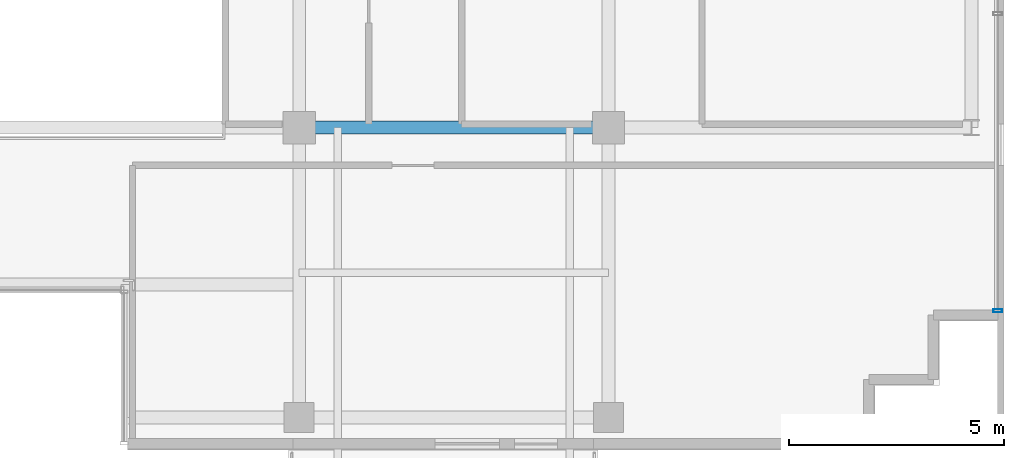
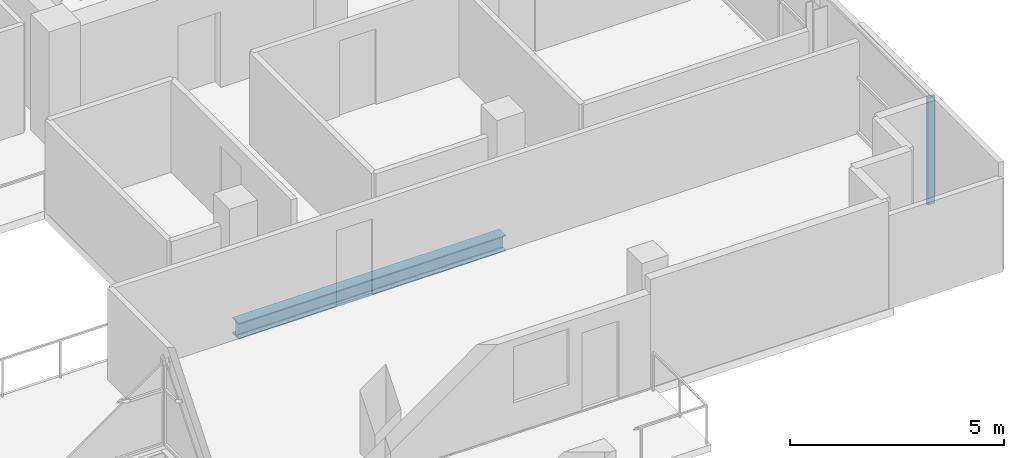
# One storey, part 7 of 21: 1 beam, 1 member, 1 element without a shape of its own.
"""IFC4 building model written with IfcOpenShell, lengths in metres."""

from ifc_helpers import new_model, si_unit, direction, frame, origin, origin_2d, place, context, subcontext, project, spatial, hollow_rectangle, i_section, extrude, source, transform, mapped, material, layer, layer_set, material_profile, profile_set, type_object, element, aggregate, save


model = new_model("IFC4")

# Units and contexts
model_context = context("Model", 3, precision=1e-05, world=origin(), true_north=direction((0.0, 1.0)))
body_context = subcontext(model_context, "Body", "Model", "MODEL_VIEW")
ifc_project = project(units=[si_unit("LENGTHUNIT", "METRE"), si_unit("AREAUNIT", "SQUARE_METRE"), si_unit("VOLUMEUNIT", "CUBIC_METRE"), si_unit("PLANEANGLEUNIT", "RADIAN"), si_unit("MASSUNIT", "GRAM", prefix="KILO")], contexts=[model_context])

# Site, building, storey
site_placement = place(None, origin())
site = spatial("IfcSite", under=ifc_project, at=site_placement, CompositionType="ELEMENT")
building_placement = place(site_placement, origin())
building = spatial("IfcBuilding", under=site, at=building_placement, Name="Zarnakvel Exchange Tower", CompositionType="ELEMENT")
storey_placement = place(building_placement, frame((0.0, 0.0, 248.5)))
storey = spatial("IfcBuildingStorey", under=building, at=storey_placement, Name="L70", CompositionType="ELEMENT", Elevation=248.5)

# Beam
ifc_material_1 = material(Name="Steel S355", Category="steel")
ifc_material_profile_1 = material_profile(ifc_material_1, i_section(OverallWidth=0.300048828125, OverallDepth=0.449951171875, WebThickness=0.013916015625, FlangeThickness=0.02587890625, FilletRadius=0.027099609375, at=origin_2d()))
ifc_profile_set_1 = profile_set([ifc_material_profile_1], Name="Steel S355")
beam_type = type_object("IfcBeamType", Name="G-07", PredefinedType="BEAM", material=ifc_profile_set_1)
beam_placement = place(storey_placement, frame((7.199951171875, -9.60009765625, -0.449951171875), z_axis=(1.0, 0.0, 0.0), x_axis=(0.0, 1.0, 0.0)))
element("IfcBeam", 1, at=beam_placement, inside=storey, type_object=beam_type, Name="L70 Tower E-W Frame Beam", PredefinedType="BEAM", context=body_context, shape_type="SweptSolid", body=[
    extrude(i_section(OverallWidth=0.300048828125, OverallDepth=0.449951171875, WebThickness=0.013916015625, FlangeThickness=0.02587890625, FilletRadius=0.027099609375, at=origin_2d()), origin(), (0.0, 0.0, 1.0), 7.199951171875),
])

# Curtain wall, member
ifc_material_2 = material(Name="Architectural Bronze Anodised Aluminium", Category="aluminium")
ifc_layer = layer(ifc_material_2, 0.199951171875)
ifc_layer_set = layer_set([ifc_layer], Name="Architectural Bronze Anodised Aluminium")
curtain_wall_type = type_object("IfcCurtainWallType", Name="CW-04", PredefinedType="NOTDEFINED", material=ifc_layer_set)
curtain_wall_placement = place(storey_placement, origin())
curtain_wall = element("IfcCurtainWall", 2, at=curtain_wall_placement, inside=storey, type_object=curtain_wall_type, Name="L70 Curtain Wall CW-L70-E1 (CW-04)", PredefinedType="NOTDEFINED")
ifc_material_profile_2 = material_profile(ifc_material_2, hollow_rectangle(XDim=0.199951171875, YDim=0.074951171875, WallThickness=0.0048828125, at=origin_2d()))
ifc_profile_set_2 = profile_set([ifc_material_profile_2], Name="Architectural Bronze Anodised Aluminium")
member_type = type_object("IfcMemberType", Name="CWM-04", PredefinedType="MULLION", material=ifc_profile_set_2)
shared_shape = source(origin(), body_context, "Body", "SweptSolid", [
    extrude(hollow_rectangle(XDim=0.199951171875, YDim=0.074951171875, WallThickness=0.0048828125, at=origin_2d()), origin(), (0.0, 0.0, 1.0), 3.054931640625),
])
member_placement = place(storey_placement, frame((23.4599609375, -13.862548828125, 0.0), z_axis=(0.0, 0.0, 1.0), x_axis=(-1.0, 0.0, 0.0)))
member = element("IfcMember", 3, at=member_placement, type_object=member_type, Name="CW-04 mullion 1", PredefinedType="MULLION", context=body_context, shape_type="MappedRepresentation", body=[
    mapped(shared_shape, transform((0.0, 0.0, 0.0), x_axis=(1.0, 0.0, 0.0), y_axis=(0.0, 1.0, 0.0), z_axis=(0.0, 0.0, 1.0), scale=1.0)),
])
aggregate(curtain_wall, [member])

save(model, "model.ifc")
